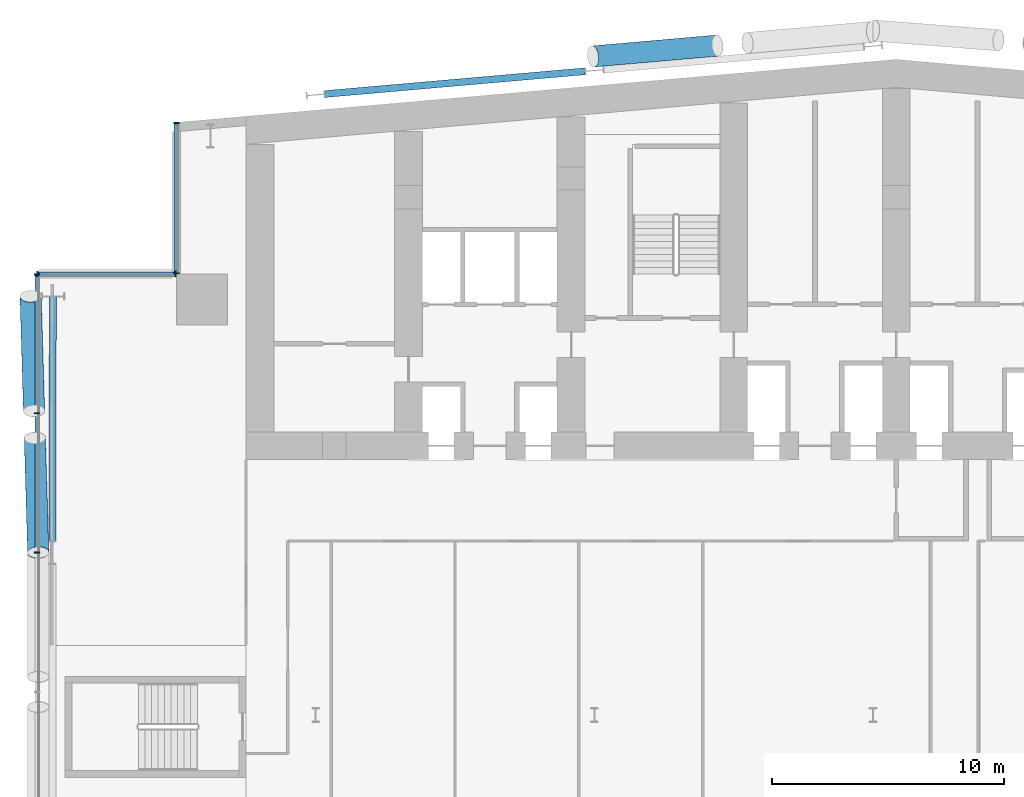
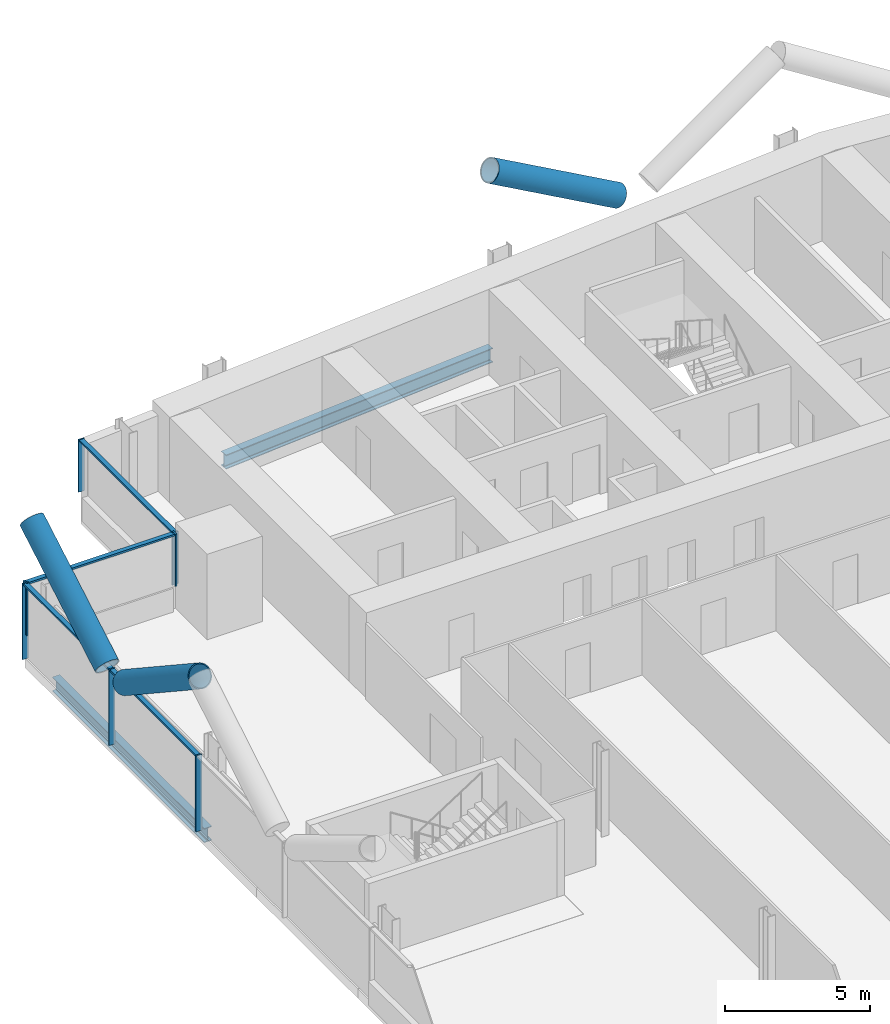
# One storey, part 7 of 25: 14 members, 2 beams, 3 elements without a shape of their own.
"""IFC4 building model written with IfcOpenShell, lengths in metres."""

from ifc_helpers import new_model, si_unit, direction, frame, origin, origin_2d, place, context, subcontext, project, spatial, rectangle, hollow_circle, i_section, extrude, material, material_profile, profile_set, type_object, element, aggregate, save


model = new_model("IFC4")

# Units and contexts
model_context = context("Model", 3, precision=1e-05, world=origin(), true_north=direction((0.0, 1.0)))
body_context = subcontext(model_context, "Body", "Model", "MODEL_VIEW")
ifc_project = project(units=[si_unit("LENGTHUNIT", "METRE"), si_unit("AREAUNIT", "SQUARE_METRE"), si_unit("VOLUMEUNIT", "CUBIC_METRE"), si_unit("PLANEANGLEUNIT", "RADIAN"), si_unit("MASSUNIT", "GRAM", prefix="KILO")], contexts=[model_context])

# Site, building, storey
site_placement = place(None, origin())
site = spatial("IfcSite", under=ifc_project, at=site_placement, CompositionType="ELEMENT")
building_placement = place(site_placement, origin())
building = spatial("IfcBuilding", under=site, at=building_placement, Name="Wharfspan Tower", CompositionType="ELEMENT")
storey_placement = place(building_placement, frame((0.0, 0.0, 70.300049)))
storey = spatial("IfcBuildingStorey", under=building, at=storey_placement, Name="L14", CompositionType="ELEMENT", Elevation=70.300049)

# Beams
ifc_material_1 = material(Name="Steel S355J2", Category="steel")
ifc_material_profile_1 = material_profile(ifc_material_1, i_section(OverallWidth=0.300049, OverallDepth=0.600098, WebThickness=0.015381, FlangeThickness=0.030029, FilletRadius=0.0271, at=origin_2d()))
ifc_profile_set_1 = profile_set([ifc_material_profile_1], Name="Steel S355J2")
beam_type = type_object("IfcBeamType", Name="Edge beam HEB 600", PredefinedType="SPANDREL", material=ifc_profile_set_1)
beam_1_placement = place(storey_placement, frame((23.598633, 50.724609, -0.699951), z_axis=(-0.996194, -0.087165, 0.0), x_axis=(0.087165, -0.996194, 0.0)))
element("IfcBeam", 1, at=beam_1_placement, inside=storey, type_object=beam_type, Name="Edge beam N1 L14 R.2 to R.1", PredefinedType="SPANDREL", context=body_context, shape_type="SweptSolid", body=[
    extrude(i_section(OverallWidth=0.300049, OverallDepth=0.600098, WebThickness=0.015381, FlangeThickness=0.030029, FilletRadius=0.0271, at=origin_2d()), origin(), (0.0, 0.0, 1.0), 11.23999),
])
beam_2_placement = place(storey_placement, frame((0.684814, 41.027832, -0.699951), z_axis=(-0.002249, -0.999997, 0.0), x_axis=(0.999997, -0.002249, 0.0)))
element("IfcBeam", 2, at=beam_2_placement, inside=storey, type_object=beam_type, Name="Edge beam W L14 PNRW-H.1 to PW.1", PredefinedType="SPANDREL", context=body_context, shape_type="SweptSolid", body=[
    extrude(i_section(OverallWidth=0.300049, OverallDepth=0.600098, WebThickness=0.015381, FlangeThickness=0.030029, FilletRadius=0.0271, at=origin_2d()), origin(), (0.0, 0.0, 1.0), 10.527832),
])

# Curtain wall, members
ifc_material_2 = material(Name="Aluminium 6063-T6", Category="aluminium")
curtain_wall_type = type_object("IfcCurtainWallType", Name="CURTAIN WALL PROW AND END", PredefinedType="NOTDEFINED", material=ifc_material_2)
curtain_wall_1_placement = place(storey_placement, origin())
curtain_wall_1 = element("IfcCurtainWall", 3, at=curtain_wall_1_placement, inside=storey, type_object=curtain_wall_type, Name="Curtain wall NRW-V", PredefinedType="NOTDEFINED")
ifc_material_profile_2 = material_profile(ifc_material_2, rectangle(XDim=0.23999, YDim=0.060059, at=origin_2d()))
ifc_profile_set_2 = profile_set([ifc_material_profile_2], Name="Aluminium 6063-T6")
member_type_1 = type_object("IfcMemberType", Name="MULLION PROW AND END 60x240", PredefinedType="MULLION", material=ifc_profile_set_2)
member_1_placement = place(storey_placement, frame((6.0, 48.494873, 1.0), z_axis=(0.0, 0.0, 1.0), x_axis=(1.0, 0.0, 0.0)))
member_1 = element("IfcMember", 4, at=member_1_placement, type_object=member_type_1, Name="Curtain wall NRW-V mullion 1", PredefinedType="MULLION", context=body_context, shape_type="SweptSolid", body=[
    extrude(rectangle(XDim=0.23999, YDim=0.060059, at=origin_2d()), origin(), (0.0, 0.0, 1.0), 2.199951),
])
member_2_placement = place(storey_placement, frame((6.0, 42.030029, 1.0), z_axis=(0.0, 0.0, 1.0), x_axis=(1.0, 0.0, 0.0)))
member_2 = element("IfcMember", 5, at=member_2_placement, type_object=member_type_1, Name="Curtain wall NRW-V mullion 2", PredefinedType="MULLION", context=body_context, shape_type="SweptSolid", body=[
    extrude(rectangle(XDim=0.23999, YDim=0.060059, at=origin_2d()), origin(), (0.0, 0.0, 1.0), 2.199951),
])

curtain_wall_2_placement = place(storey_placement, origin())
curtain_wall_2 = element("IfcCurtainWall", 6, at=curtain_wall_2_placement, inside=storey, type_object=curtain_wall_type, Name="Curtain wall NRW-H", PredefinedType="NOTDEFINED")
member_3_placement = place(storey_placement, frame((5.969971, 42.0, 1.0), z_axis=(0.0, 0.0, 1.0), x_axis=(0.0, -1.0, 0.0)))
member_3 = element("IfcMember", 7, at=member_3_placement, type_object=member_type_1, Name="Curtain wall NRW-H mullion 1", PredefinedType="MULLION", context=body_context, shape_type="SweptSolid", body=[
    extrude(rectangle(XDim=0.23999, YDim=0.060059, at=origin_2d()), origin(), (0.0, 0.0, 1.0), 2.199951),
])
member_4_placement = place(storey_placement, frame((0.030029, 42.0, 1.0), z_axis=(0.0, 0.0, 1.0), x_axis=(0.0, -1.0, 0.0)))
member_4 = element("IfcMember", 8, at=member_4_placement, type_object=member_type_1, Name="Curtain wall NRW-H mullion 2", PredefinedType="MULLION", context=body_context, shape_type="SweptSolid", body=[
    extrude(rectangle(XDim=0.23999, YDim=0.060059, at=origin_2d()), origin(), (0.0, 0.0, 1.0), 2.199951),
])

curtain_wall_3_placement = place(storey_placement, origin())
curtain_wall_3 = element("IfcCurtainWall", 9, at=curtain_wall_3_placement, inside=storey, type_object=curtain_wall_type, Name="Curtain wall W", PredefinedType="NOTDEFINED")
member_5_placement = place(storey_placement, frame((0.0, 41.969971, 0.0), z_axis=(0.0, 0.0, 1.0), x_axis=(1.0, 0.0, 0.0)))
member_5 = element("IfcMember", 10, at=member_5_placement, type_object=member_type_1, Name="Curtain wall W mullion 1", PredefinedType="MULLION", context=body_context, shape_type="SweptSolid", body=[
    extrude(rectangle(XDim=0.23999, YDim=0.060059, at=origin_2d()), origin(), (0.0, 0.0, 1.0), 3.199951),
])
member_6_placement = place(storey_placement, frame((0.0, 36.0, 0.0), z_axis=(0.0, 0.0, 1.0), x_axis=(1.0, 0.0, 0.0)))
member_6 = element("IfcMember", 11, at=member_6_placement, type_object=member_type_1, Name="Curtain wall W mullion 2", PredefinedType="MULLION", context=body_context, shape_type="SweptSolid", body=[
    extrude(rectangle(XDim=0.23999, YDim=0.060059, at=origin_2d()), origin(), (0.0, 0.0, 1.0), 3.199951),
])
member_7_placement = place(storey_placement, frame((0.0, 30.0, 0.0), z_axis=(0.0, 0.0, 1.0), x_axis=(1.0, 0.0, 0.0)))
member_7 = element("IfcMember", 12, at=member_7_placement, type_object=member_type_1, Name="Curtain wall W mullion 3", PredefinedType="MULLION", context=body_context, shape_type="SweptSolid", body=[
    extrude(rectangle(XDim=0.23999, YDim=0.060059, at=origin_2d()), origin(), (0.0, 0.0, 1.0), 3.199951),
])

# Members
ifc_material_3 = material(Name="Steel S460NH", Category="steel")
ifc_material_profile_3 = material_profile(ifc_material_3, hollow_circle(Radius=0.457031, WallThickness=0.040039, at=origin_2d()))
ifc_profile_set_3 = profile_set([ifc_material_profile_3], Name="Steel S460NH")
member_type_2 = type_object("IfcMemberType", Name="Mega brace CHS 914x40", PredefinedType="BRACE", material=ifc_profile_set_3)
for number, where, z_axis, x_axis, name in (
    (13, (-0.091797, 34.933594, 3.280762), (0.0249, -0.837221, 0.546298), (0.999556, 0.02973, 3e-06), "Mega brace W4 L14 part 2"),
    (14, (-0.126465, 36.100586, 3.280762), (-0.0249, 0.837221, 0.546298), (-0.999556, -0.02973, 3e-06), "Mega brace W4 L14 part 4"),
):
    element("IfcMember", number, at=place(storey_placement, frame(where, z_axis=z_axis, x_axis=x_axis)), inside=storey, type_object=member_type_2, Name=name, PredefinedType="BRACE", context=body_context, shape_type="SweptSolid", body=[
        extrude(hollow_circle(Radius=0.457031, WallThickness=0.040039, at=origin_2d()), origin(), (0.0, 0.0, 1.0), 5.892822),
    ])
member_8_placement = place(storey_placement, frame((29.296875, 51.831055, 3.290283), z_axis=(-0.855094, -0.074809, 0.513048), x_axis=(0.087154, -0.996195, 1e-06)))
element("IfcMember", 15, at=member_8_placement, inside=storey, type_object=member_type_2, Name="Mega brace N7 L14 part 4", PredefinedType="BRACE", context=body_context, shape_type="SweptSolid", body=[
    extrude(hollow_circle(Radius=0.457031, WallThickness=0.040039, at=origin_2d()), origin(), (0.0, 0.0, 1.0), 6.256104),
])

# Member
ifc_material_profile_4 = material_profile(ifc_material_2, rectangle(XDim=0.179932, YDim=0.080078, at=origin_2d()))
ifc_profile_set_4 = profile_set([ifc_material_profile_4], Name="Aluminium 6063-T6")
member_type_3 = type_object("IfcMemberType", Name="TRANSOM PROW AND END 80x180", PredefinedType="USERDEFINED", material=ifc_profile_set_4)
member_9_placement = place(storey_placement, frame((6.0, 48.464844, 3.159912), z_axis=(0.0, -1.0, 0.0), x_axis=(1.0, 0.0, 0.0)))
member_9 = element("IfcMember", 16, at=member_9_placement, type_object=member_type_3, Name="Curtain wall NRW-V transom 1", ObjectType="TRANSOM", PredefinedType="USERDEFINED", context=body_context, shape_type="SweptSolid", body=[
    extrude(rectangle(XDim=0.179932, YDim=0.080078, at=origin_2d()), origin(), (0.0, 0.0, 1.0), 6.404785),
])

aggregate(curtain_wall_1, [member_1, member_2, member_9])

member_10_placement = place(storey_placement, frame((5.939941, 42.0, 3.159912), z_axis=(-1.0, 0.0, 0.0), x_axis=(0.0, -1.0, 0.0)))
member_10 = element("IfcMember", 17, at=member_10_placement, type_object=member_type_3, Name="Curtain wall NRW-H transom 1", ObjectType="TRANSOM", PredefinedType="USERDEFINED", context=body_context, shape_type="SweptSolid", body=[
    extrude(rectangle(XDim=0.179932, YDim=0.080078, at=origin_2d()), origin(), (0.0, 0.0, 1.0), 5.879883),
])

aggregate(curtain_wall_2, [member_3, member_4, member_10])

member_11_placement = place(storey_placement, frame((0.0, 41.939941, 3.159912), z_axis=(0.0, -1.0, 0.0), x_axis=(1.0, 0.0, 0.0)))
member_11 = element("IfcMember", 18, at=member_11_placement, type_object=member_type_3, Name="Curtain wall W transom 1", ObjectType="TRANSOM", PredefinedType="USERDEFINED", context=body_context, shape_type="SweptSolid", body=[
    extrude(rectangle(XDim=0.179932, YDim=0.080078, at=origin_2d()), origin(), (0.0, 0.0, 1.0), 5.909912),
])

member_12_placement = place(storey_placement, frame((0.0, 35.969971, 3.159912), z_axis=(0.0, -1.0, 0.0), x_axis=(1.0, 0.0, 0.0)))
member_12 = element("IfcMember", 19, at=member_12_placement, type_object=member_type_3, Name="Curtain wall W transom 2", ObjectType="TRANSOM", PredefinedType="USERDEFINED", context=body_context, shape_type="SweptSolid", body=[
    extrude(rectangle(XDim=0.179932, YDim=0.080078, at=origin_2d()), origin(), (0.0, 0.0, 1.0), 5.939941),
])

aggregate(curtain_wall_3, [member_5, member_6, member_7, member_11, member_12])

save(model, "model.ifc")
